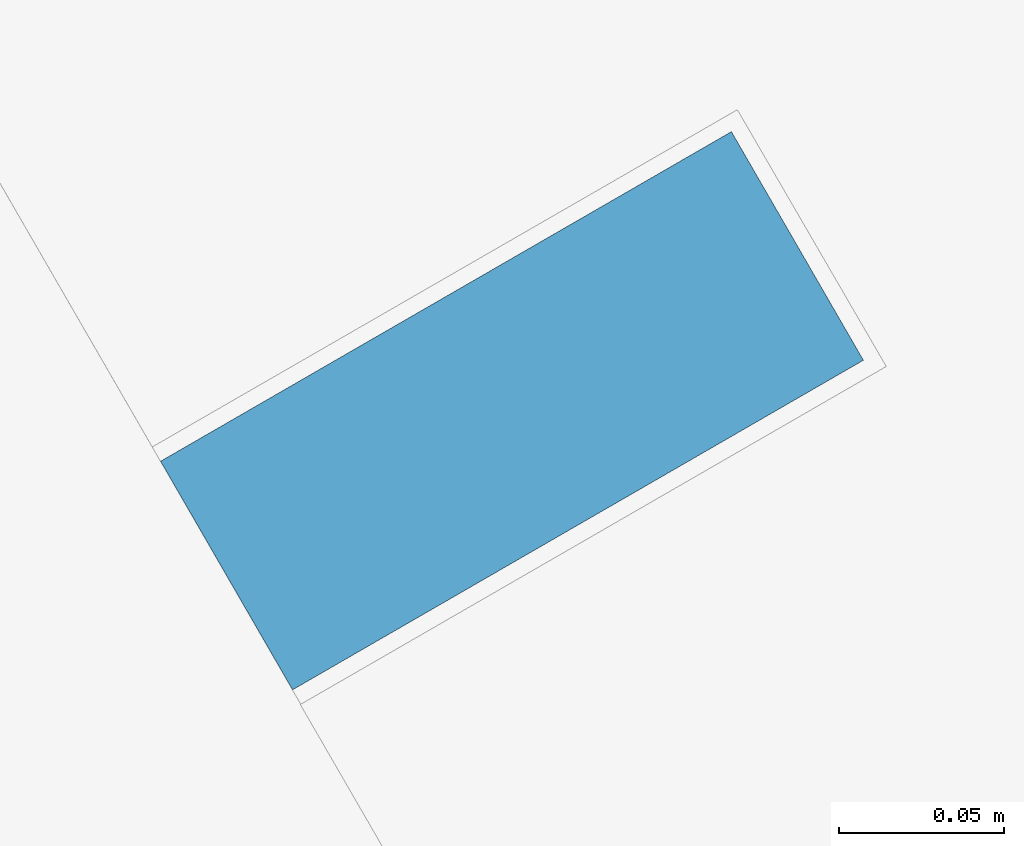
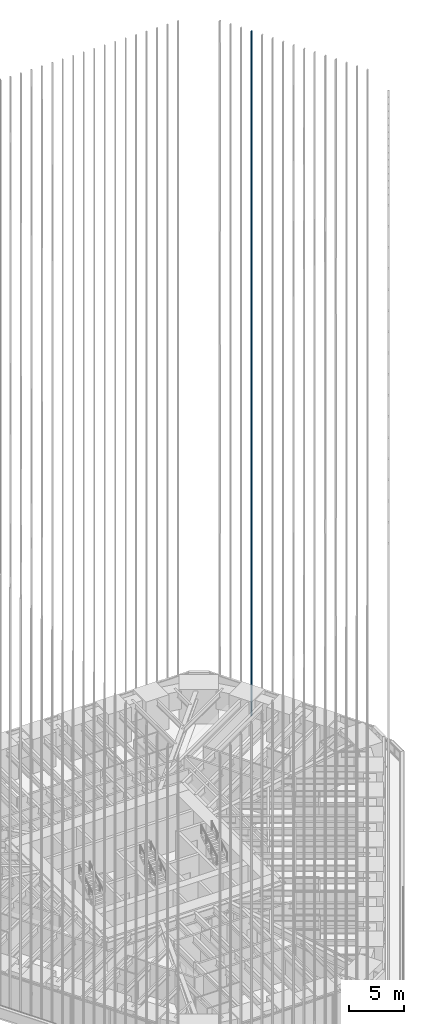
# One storey, part 223 of 238: 1 member, 1 element without a shape of its own.
"""IFC4 building model written with IfcOpenShell, lengths in metres."""

from ifc_helpers import new_model, si_unit, direction, frame, origin, origin_2d, place, context, subcontext, project, spatial, rectangle, extrude, material, material_profile, profile_set, type_object, element, aggregate, save


model = new_model("IFC4")

# Units and contexts
model_context = context("Model", 3, precision=1e-05, world=origin(), true_north=direction((0.0, 1.0)))
body_context = subcontext(model_context, "Body", "Model", "MODEL_VIEW")
ifc_project = project(units=[si_unit("LENGTHUNIT", "METRE"), si_unit("AREAUNIT", "SQUARE_METRE"), si_unit("VOLUMEUNIT", "CUBIC_METRE"), si_unit("PLANEANGLEUNIT", "RADIAN"), si_unit("MASSUNIT", "GRAM", prefix="KILO")], contexts=[model_context])

# Site, building, storey
site_placement = place(None, origin())
site = spatial("IfcSite", under=ifc_project, at=site_placement, CompositionType="ELEMENT")
building_placement = place(site_placement, origin())
building = spatial("IfcBuilding", under=site, at=building_placement, Name="Sandreach Pilgrim Tower", CompositionType="ELEMENT")
storey_placement = place(building_placement, frame((0.0, 0.0, 96.800048828125)))
storey = spatial("IfcBuildingStorey", under=building, at=storey_placement, Name="L23", CompositionType="ELEMENT", Elevation=96.800048828125)

# Curtain wall, member
ifc_material_1 = material(Name="Aluminium framed curtain wall", Category="aluminium")
curtain_wall_type = type_object("IfcCurtainWallType", Name="Hotel tower curtain wall", PredefinedType="NOTDEFINED", material=ifc_material_1)
curtain_wall_placement = place(storey_placement, origin())
curtain_wall = element("IfcCurtainWall", 1, at=curtain_wall_placement, inside=storey, type_object=curtain_wall_type, Name="CW-2 L23 NE", PredefinedType="NOTDEFINED")
ifc_material_2 = material(Name="Extruded terracotta on aluminium core", Category="masonry")
ifc_material_profile = material_profile(ifc_material_2, rectangle(XDim=0.080078125, YDim=0.199951171875, at=origin_2d()), Name="TBE 80X200")
ifc_profile_set = profile_set([ifc_material_profile], Name="Extruded terracotta on aluminium core")
member_type = type_object("IfcMemberType", Name="Terracotta baguette east", PredefinedType="USERDEFINED", material=ifc_profile_set)
member_placement = place(storey_placement, frame((22.551025390625, 18.125, 0.0), z_axis=(0.0, 0.0, 1.0), x_axis=(0.5, -0.866025403784, 0.0)))
member = element("IfcMember", 2, at=member_placement, type_object=member_type, Name="Baguette Z2 NE04", ObjectType="BAGUETTE", PredefinedType="USERDEFINED", context=body_context, shape_type="SweptSolid", body=[
    extrude(rectangle(XDim=0.080078125, YDim=0.199951171875, at=origin_2d()), origin(), (0.0, 0.0, 1.0), 75.83984375),
])
aggregate(curtain_wall, [member])

save(model, "model.ifc")
